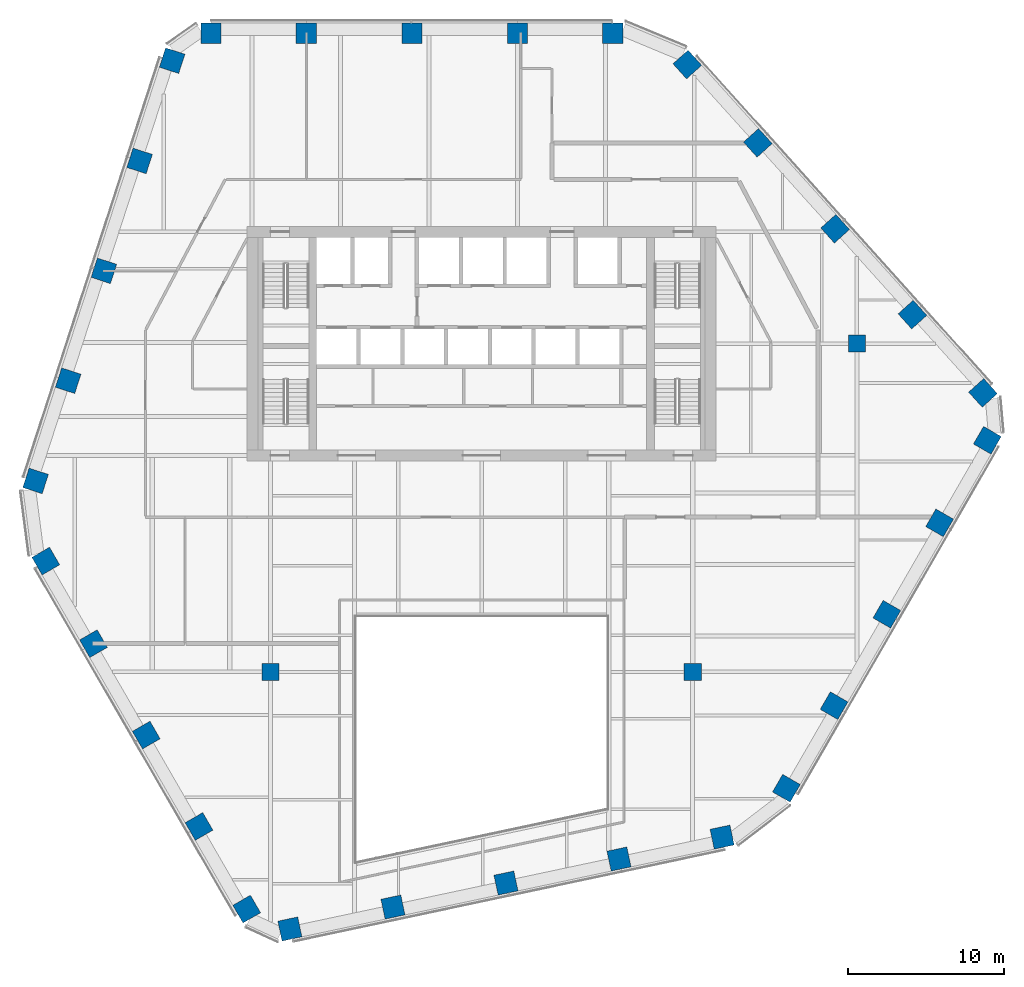
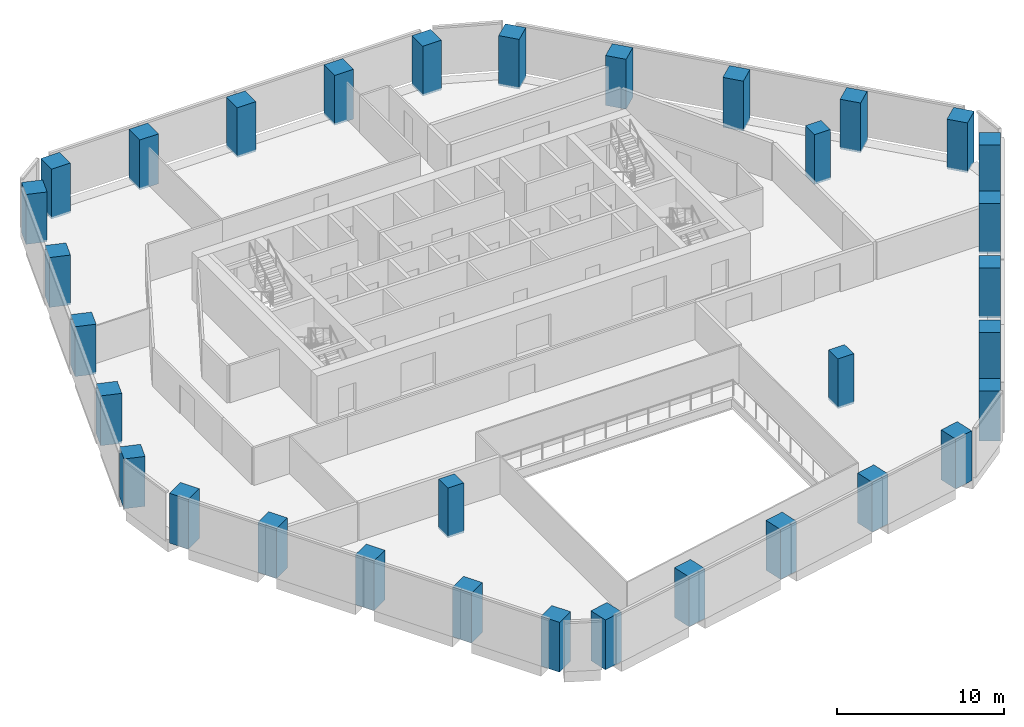
# One storey, part 1 of 16: 33 columns.
"""IFC4 building model written with IfcOpenShell, lengths in metres."""

from ifc_helpers import new_model, si_unit, direction, frame, origin, origin_2d, place, context, subcontext, project, spatial, rectangle, extrude, material, material_profile, profile_set, type_object, element, save


model = new_model("IFC4")

# Units and contexts
model_context = context("Model", 3, precision=1e-05, world=origin(), true_north=direction((0.0, 1.0)))
body_context = subcontext(model_context, "Body", "Model", "MODEL_VIEW")
ifc_project = project(units=[si_unit("LENGTHUNIT", "METRE"), si_unit("AREAUNIT", "SQUARE_METRE"), si_unit("VOLUMEUNIT", "CUBIC_METRE"), si_unit("PLANEANGLEUNIT", "RADIAN"), si_unit("MASSUNIT", "GRAM", prefix="KILO")], contexts=[model_context])

# Site, building, storey
site_placement = place(None, origin())
site = spatial("IfcSite", under=ifc_project, at=site_placement, CompositionType="ELEMENT")
building_placement = place(site_placement, origin())
building = spatial("IfcBuilding", under=site, at=building_placement, Name="Isthmus Gate Tower", CompositionType="ELEMENT")
storey_placement = place(building_placement, frame((0.0, 0.0, 170.800048828125)))
storey = spatial("IfcBuildingStorey", under=building, at=storey_placement, Name="L42", CompositionType="ELEMENT", Elevation=170.800048828125)

# Columns
ifc_material_1 = material(Name="Concrete f'c 60 MPa", Category="concrete")
ifc_material_profile_1 = material_profile(ifc_material_1, rectangle(XDim=1.10009765625, YDim=1.10009765625, at=origin_2d()), Name="RC 1100X1100")
ifc_profile_set_1 = profile_set([ifc_material_profile_1], Name="Concrete f'c 60 MPa")
column_type_1 = type_object("IfcColumnType", Name="RC INTERIOR COLUMN 1100 X 1100", PredefinedType="COLUMN", material=ifc_profile_set_1)
for number, where, z_axis, x_axis, name in (
    (1, (-13.5, -13.5, -0.150146484375), (0.0, 0.0, 1.0), (1.0, 0.0, 0.0), "str-icol-L42-ICB2"),
    (2, (13.5, -13.5, -0.150146484375), (0.0, 0.0, 1.0), (1.0, 0.0, 0.0), "str-icol-L42-ICD2"),
    (3, (24.0, 7.5, -0.150146484375), (0.0, 0.0, 1.0), (1.0, 0.0, 0.0), "str-icol-L42-ICE3"),
):
    element("IfcColumn", number, at=place(storey_placement, frame(where, z_axis=z_axis, x_axis=x_axis)), inside=storey, type_object=column_type_1, Name=name, PredefinedType="COLUMN", context=body_context, shape_type="SweptSolid", body=[
        extrude(rectangle(XDim=1.10009765625, YDim=1.10009765625, at=origin_2d()), origin(), (0.0, 0.0, 1.0), 3.650146484375),
    ])
ifc_material_2 = material(Name="Concrete f'c 60 MPa", Category="concrete")
ifc_material_profile_2 = material_profile(ifc_material_2, rectangle(XDim=1.300048828125, YDim=1.300048828125, at=origin_2d()), Name="RC 1300X1300")
ifc_profile_set_2 = profile_set([ifc_material_profile_2], Name="Concrete f'c 60 MPa")
column_type_2 = type_object("IfcColumnType", Name="RC TUBE COLUMN 1300 X 1300", PredefinedType="COLUMN", material=ifc_profile_set_2)
for number, where, z_axis, x_axis, name in (
    (4, (8.388671875, 27.35009765625, -0.150146484375), (0.0, 0.0, 1.0), (-1.0, 0.0, 0.0), "str-tcol-L42-T2N0"),
    (5, (2.288330078125, 27.35009765625, -0.150146484375), (0.0, 0.0, 1.0), (-1.0, 0.0, 0.0), "str-tcol-L42-T2N1"),
    (6, (-4.461669921875, 27.35009765625, -0.150146484375), (0.0, 0.0, 1.0), (-1.0, 0.0, 0.0), "str-tcol-L42-T2N2"),
    (7, (-11.2119140625, 27.35009765625, -0.150146484375), (0.0, 0.0, 1.0), (-1.0, 0.0, 0.0), "str-tcol-L42-T2N3"),
    (8, (-17.31201171875, 27.35009765625, -0.150146484375), (0.0, 0.0, 1.0), (-1.0, 0.0, 0.0), "str-tcol-L42-T2N4"),
    (9, (-19.797607421875, 25.595947265625, -0.150146484375), (0.0, 0.0, 1.0), (-0.309016994375, -0.951056516295, 0.0), "str-tcol-L42-T2NW0"),
    (10, (-21.880615234375, 19.18505859375, -0.150146484375), (0.0, 0.0, 1.0), (-0.309016994375, -0.951056516295, 0.0), "str-tcol-L42-T2NW1"),
    (11, (-24.164306640625, 12.156005859375, -0.150146484375), (0.0, 0.0, 1.0), (-0.309016994375, -0.951056516295, 0.0), "str-tcol-L42-T2NW2"),
    (12, (-26.4482421875, 5.126953125, -0.150146484375), (0.0, 0.0, 1.0), (-0.309016994375, -0.951056516295, 0.0), "str-tcol-L42-T2NW3"),
    (13, (-28.53125, -1.283935546875, -0.150146484375), (0.0, 0.0, 1.0), (-0.309016994375, -0.951056516295, 0.0), "str-tcol-L42-T2NW4"),
    (14, (-27.880126953125, -6.410400390625, -0.150146484375), (0.0, 0.0, 1.0), (0.5, -0.866025403784, 0.0), "str-tcol-L42-T2SW0"),
    (15, (-24.830078125, -11.693115234375, -0.150146484375), (0.0, 0.0, 1.0), (0.5, -0.866025403784, 0.0), "str-tcol-L42-T2SW1"),
    (16, (-21.454833984375, -17.5390625, -0.150146484375), (0.0, 0.0, 1.0), (0.5, -0.866025403784, 0.0), "str-tcol-L42-T2SW2"),
    (17, (-18.079833984375, -23.384765625, -0.150146484375), (0.0, 0.0, 1.0), (0.5, -0.866025403784, 0.0), "str-tcol-L42-T2SW3"),
    (18, (-15.02978515625, -28.667724609375, -0.150146484375), (0.0, 0.0, 1.0), (0.5, -0.866025403784, 0.0), "str-tcol-L42-T2SW4"),
    (19, (-12.267822265625, -29.943115234375, -0.150146484375), (0.0, 0.0, 1.0), (0.978147600734, 0.207911690818, 0.0), "str-tcol-L42-T2S0"),
    (20, (-5.674560546875, -28.54150390625, -0.150146484375), (0.0, 0.0, 1.0), (0.978147600734, 0.207911690818, 0.0), "str-tcol-L42-T2S1"),
    (21, (1.554931640625, -27.0048828125, -0.150146484375), (0.0, 0.0, 1.0), (0.978147600734, 0.207911690818, 0.0), "str-tcol-L42-T2S2"),
    (22, (8.7841796875, -25.46826171875, -0.150146484375), (0.0, 0.0, 1.0), (0.978147600734, 0.207911690818, 0.0), "str-tcol-L42-T2S3"),
    (23, (15.377685546875, -24.06689453125, -0.150146484375), (0.0, 0.0, 1.0), (0.978147600734, 0.207911690818, 0.0), "str-tcol-L42-T2S4"),
    (24, (19.491455078125, -20.939697265625, -0.150146484375), (0.0, 0.0, 1.0), (0.5, 0.866025403784, 0.0), "str-tcol-L42-T2SE0"),
    (25, (22.54150390625, -15.65673828125, -0.150146484375), (0.0, 0.0, 1.0), (0.5, 0.866025403784, 0.0), "str-tcol-L42-T2SE1"),
    (26, (25.916748046875, -9.81103515625, -0.150146484375), (0.0, 0.0, 1.0), (0.5, 0.866025403784, 0.0), "str-tcol-L42-T2SE2"),
    (27, (29.291748046875, -3.96533203125, -0.150146484375), (0.0, 0.0, 1.0), (0.5, 0.866025403784, 0.0), "str-tcol-L42-T2SE3"),
    (28, (32.341796875, 1.317626953125, -0.150146484375), (0.0, 0.0, 1.0), (0.5, 0.866025403784, 0.0), "str-tcol-L42-T2SE4"),
    (29, (32.0654296875, 4.34716796875, -0.150146484375), (0.0, 0.0, 1.0), (-0.669130606359, 0.743144825477, 0.0), "str-tcol-L42-T2NE0"),
    (30, (27.554931640625, 9.356689453125, -0.150146484375), (0.0, 0.0, 1.0), (-0.669130606359, 0.743144825477, 0.0), "str-tcol-L42-T2NE1"),
    (31, (22.609619140625, 14.84912109375, -0.150146484375), (0.0, 0.0, 1.0), (-0.669130606359, 0.743144825477, 0.0), "str-tcol-L42-T2NE2"),
    (32, (17.6640625, 20.341552734375, -0.150146484375), (0.0, 0.0, 1.0), (-0.669130606359, 0.743144825477, 0.0), "str-tcol-L42-T2NE3"),
    (33, (13.15380859375, 25.350830078125, -0.150146484375), (0.0, 0.0, 1.0), (-0.669130606359, 0.743144825477, 0.0), "str-tcol-L42-T2NE4"),
):
    element("IfcColumn", number, at=place(storey_placement, frame(where, z_axis=z_axis, x_axis=x_axis)), inside=storey, type_object=column_type_2, Name=name, PredefinedType="COLUMN", context=body_context, shape_type="SweptSolid", body=[
        extrude(rectangle(XDim=1.300048828125, YDim=1.300048828125, at=origin_2d()), origin(), (0.0, 0.0, 1.0), 3.650146484375),
    ])

save(model, "model.ifc")
